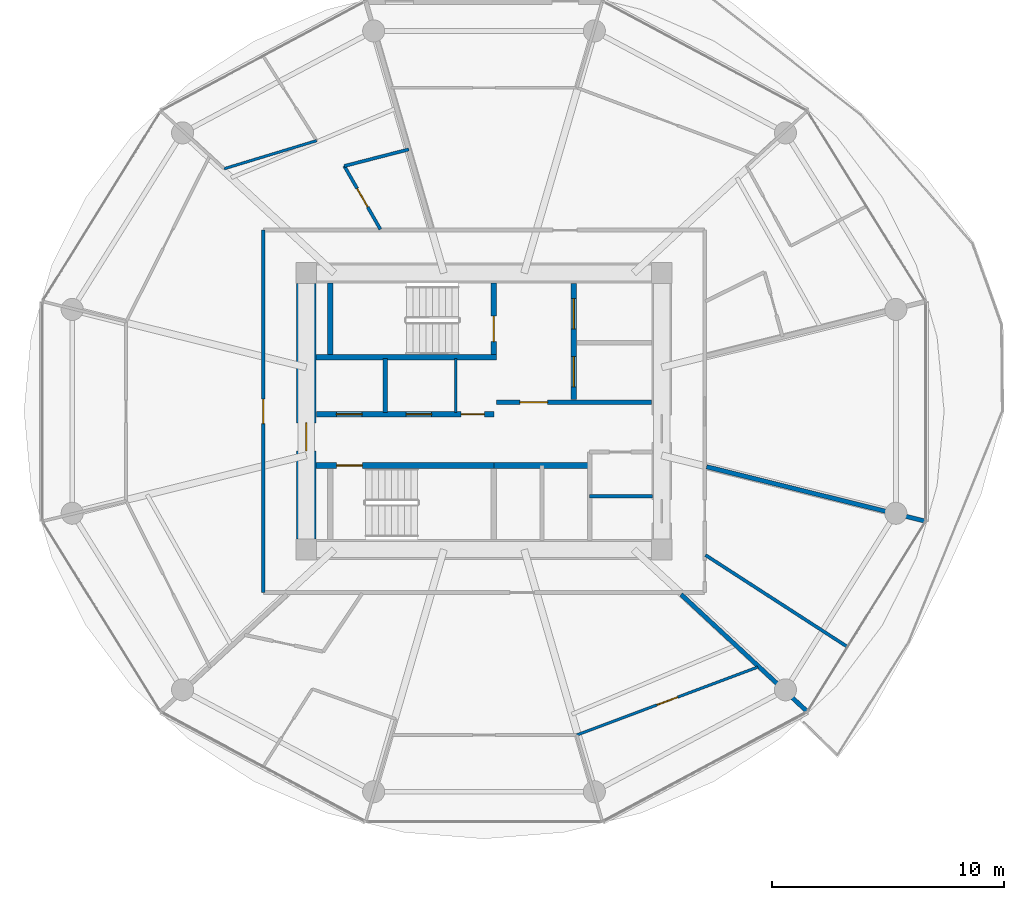
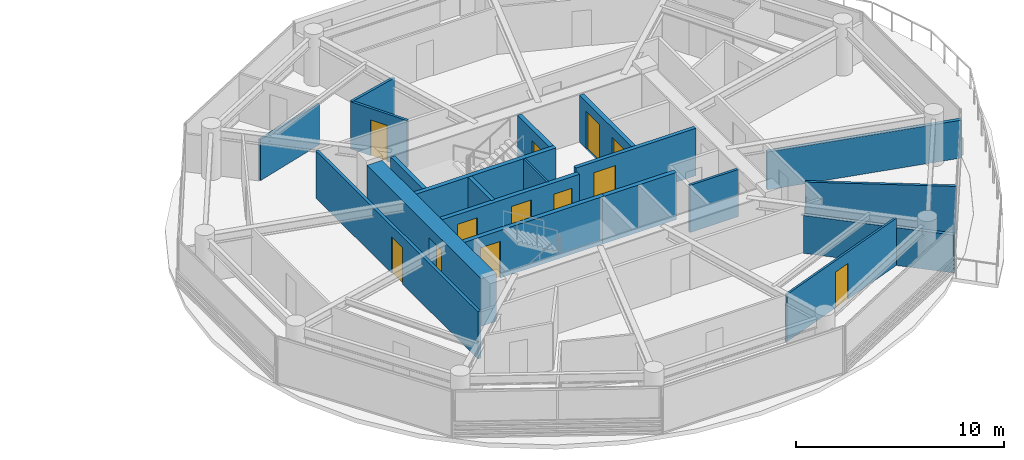
# One storey, part 20 of 28: 20 walls, 12 doors, 12 openings.
"""IFC4 building model written with IfcOpenShell, lengths in metres."""

from ifc_helpers import new_model, si_unit, direction, frame, frame_2d, origin, place, context, subcontext, project, spatial, rectangle, extrude, source, transform, mapped, material, layer, layer_set, type_object, type_shapes, element, fill, save


model = new_model("IFC4")

# Units and contexts
model_context = context("Model", 3, precision=1e-05, world=origin(), true_north=direction((0.0, 1.0)))
body_context = subcontext(model_context, "Body", "Model", "MODEL_VIEW")
ifc_project = project(units=[si_unit("LENGTHUNIT", "METRE"), si_unit("AREAUNIT", "SQUARE_METRE"), si_unit("VOLUMEUNIT", "CUBIC_METRE"), si_unit("PLANEANGLEUNIT", "RADIAN"), si_unit("MASSUNIT", "GRAM", prefix="KILO")], contexts=[model_context])

# Site, building, storey
site_placement = place(None, origin())
site = spatial("IfcSite", under=ifc_project, at=site_placement, CompositionType="ELEMENT")
building_placement = place(site_placement, origin())
building = spatial("IfcBuilding", under=site, at=building_placement, Name="Norrkilde Senior Care Towers", CompositionType="ELEMENT")
storey_placement = place(building_placement, frame((0.0, 0.0, 39.89990234375)))
storey = spatial("IfcBuildingStorey", under=building, at=storey_placement, Name="L11", CompositionType="ELEMENT", Elevation=39.89990234375)

# Wall, opening, door
ifc_material_1 = material(Name="Concrete C60/75", Category="concrete")
ifc_layer_1 = layer(ifc_material_1, 0.85009765625)
ifc_layer_set_1 = layer_set([ifc_layer_1], Name="Concrete C60/75")
wall_type_1 = type_object("IfcWallType", Name="Core Shear Wall Z1 850", PredefinedType="SHEAR", material=ifc_layer_set_1)
shared_shape_1 = source(origin(), body_context, "Body", "SweptSolid", [
    extrude(rectangle(XDim=11.0, YDim=0.85009765625, at=frame_2d((5.5, 0.0))), origin(), (0.0, 0.0, 1.0), 2.7900390625),
])
type_shapes(wall_type_1, [shared_shape_1])
wall_1_placement = place(storey_placement, frame((20.35009765625, -5.5, 0.0), z_axis=(0.0, 0.0, 1.0), x_axis=(0.0, 1.0, 0.0)))
wall_1 = element("IfcWall", 1, at=wall_1_placement, inside=storey, type_object=wall_type_1, Name="L11 Core E West Shear Wall", PredefinedType="SHEAR", context=body_context, shape_type="MappedRepresentation", body=[
    mapped(shared_shape_1, transform((0.0, 0.0, 0.0), x_axis=(1.0, 0.0, 0.0), y_axis=(0.0, 1.0, 0.0), z_axis=(0.0, 0.0, 1.0), scale=1.0)),
])
opening_1_placement = place(wall_1_placement, frame((3.800048828125, 0.0, 0.0)))
opening_1 = element("IfcOpeningElement", 2, at=opening_1_placement, cuts=wall_1, Name="Opening D-04", PredefinedType="OPENING", context=body_context, shape_type="SweptSolid", body=[
    extrude(rectangle(XDim=1.199951171875, YDim=2.14990234375, at=frame_2d((0.60009765625, 1.074951171875))), frame((0.0, 0.43505859375, 0.0), z_axis=(0.0, -1.0, 0.0), x_axis=(1.0, 0.0, 0.0)), (0.0, 0.0, 1.0), 0.8701171875),
])
ifc_material_2 = material(Name="Galvanised Painted Steel", Category="steel")
door_type_1 = type_object("IfcDoorType", Name="Firefighting Lobby Fire Door 1200x2150", OperationType="NOTDEFINED", PredefinedType="DOOR", material=ifc_material_2)
shared_shape_2 = source(origin(), body_context, "Body", "SweptSolid", [
    extrude(rectangle(XDim=1.199951171875, YDim=2.14990234375, at=frame_2d((0.60009765625, 1.074951171875))), frame((0.0, 0.02490234375, 0.0), z_axis=(0.0, -1.0, 0.0), x_axis=(1.0, 0.0, 0.0)), (0.0, 0.0, 1.0), 0.050048828125),
])
type_shapes(door_type_1, [shared_shape_2])
door_1_placement = place(opening_1_placement, frame((1.199951171875, 0.0, 0.0), z_axis=(0.0, 0.0, 1.0), x_axis=(-1.0, 0.0, 0.0)))
door_1 = element("IfcDoor", 3, at=door_1_placement, inside=storey, type_object=door_type_1, Name="L11 Core E West Portal Door", OperationType="SINGLE_SWING_LEFT", OverallHeight=2.14990234375, OverallWidth=1.199951171875, PredefinedType="DOOR", context=body_context, shape_type="MappedRepresentation", body=[
    mapped(shared_shape_2, transform((0.0, 0.0, 0.0), x_axis=(1.0, 0.0, 0.0), y_axis=(0.0, 1.0, 0.0), z_axis=(0.0, 0.0, 1.0), scale=1.0)),
])
fill(opening_1, door_1)

# Wall
ifc_material_3 = material(Name="Concrete C45/55", Category="concrete")
ifc_layer_2 = layer(ifc_material_3, 0.239990234375)
ifc_layer_set_2 = layer_set([ifc_layer_2], Name="Concrete C45/55")
wall_type_2 = type_object("IfcWallType", Name="Shaft and Stair Enclosure Wall 240", PredefinedType="PARTITIONING", material=ifc_layer_set_2)
shared_shape_3 = source(origin(), body_context, "Body", "SweptSolid", [
    extrude(rectangle(XDim=7.76513671875, YDim=0.239990234375, at=frame_2d((3.882568359375, 0.0))), origin(), (0.0, 0.0, 1.0), 2.7900390625),
])
wall_2_placement = place(storey_placement, frame((20.77490234375, 2.330078125, 0.0), z_axis=(0.0, 0.0, 1.0), x_axis=(1.0, 0.0, 0.0)))
element("IfcWall", 4, at=wall_2_placement, inside=storey, type_object=wall_type_2, Name="WL-INT-L11-E-ST1S", PredefinedType="PARTITIONING", context=body_context, shape_type="MappedRepresentation", body=[
    mapped(shared_shape_3, transform((0.0, 0.0, 0.0), x_axis=(1.0, 0.0, 0.0), y_axis=(0.0, 1.0, 0.0), z_axis=(0.0, 0.0, 1.0), scale=1.0)),
])

# Wall, opening, door
wall_3_placement = place(storey_placement, frame((20.77490234375, -2.330078125, 0.0), z_axis=(0.0, 0.0, 1.0), x_axis=(1.0, 0.0, 0.0)))
wall_3 = element("IfcWall", 5, at=wall_3_placement, inside=storey, type_object=wall_type_2, Name="WL-INT-L11-E-ST2N", PredefinedType="PARTITIONING", context=body_context, shape_type="MappedRepresentation", body=[
    mapped(shared_shape_3, transform((0.0, 0.0, 0.0), x_axis=(1.0, 0.0, 0.0), y_axis=(0.0, 1.0, 0.0), z_axis=(0.0, 0.0, 1.0), scale=1.0)),
])
opening_2_placement = place(wall_3_placement, frame((0.885009765625, 0.0, 0.0)))
opening_2 = element("IfcOpeningElement", 6, at=opening_2_placement, cuts=wall_3, Name="Opening D-03", PredefinedType="OPENING", context=body_context, shape_type="SweptSolid", body=[
    extrude(rectangle(XDim=1.10009765625, YDim=2.14990234375, at=frame_2d((0.550048828125, 1.074951171875))), frame((0.0, 0.1298828125, 0.0), z_axis=(0.0, -1.0, 0.0), x_axis=(1.0, 0.0, 0.0)), (0.0, 0.0, 1.0), 0.260009765625),
])
door_type_2 = type_object("IfcDoorType", Name="Stairwell Protected Fire Door 1100x2150", OperationType="NOTDEFINED", PredefinedType="DOOR", material=ifc_material_2)
shared_shape_4 = source(origin(), body_context, "Body", "SweptSolid", [
    extrude(rectangle(XDim=1.10009765625, YDim=2.14990234375, at=frame_2d((0.550048828125, 1.074951171875))), frame((0.0, 0.02490234375, 0.0), z_axis=(0.0, -1.0, 0.0), x_axis=(1.0, 0.0, 0.0)), (0.0, 0.0, 1.0), 0.050048828125),
])
type_shapes(door_type_2, [shared_shape_4])
door_2_placement = place(opening_2_placement, frame((1.10009765625, 0.0, 0.0), z_axis=(0.0, 0.0, 1.0), x_axis=(-1.0, 0.0, 0.0)))
door_2 = element("IfcDoor", 7, at=door_2_placement, inside=storey, type_object=door_type_2, Name="L11 Stair E2 Fire Door", OperationType="SINGLE_SWING_RIGHT", OverallHeight=2.14990234375, OverallWidth=1.10009765625, PredefinedType="DOOR", context=body_context, shape_type="MappedRepresentation", body=[
    mapped(shared_shape_4, transform((0.0, 0.0, 0.0), x_axis=(1.0, 0.0, 0.0), y_axis=(0.0, 1.0, 0.0), z_axis=(0.0, 0.0, 1.0), scale=1.0)),
])
fill(opening_2, door_2)

# Wall
shared_shape_5 = source(origin(), body_context, "Body", "SweptSolid", [
    extrude(rectangle(XDim=3.074951171875, YDim=0.239990234375, at=frame_2d((1.53759765625, 0.0))), origin(), (0.0, 0.0, 1.0), 2.7900390625),
])
type_shapes(wall_type_2, [shared_shape_3, shared_shape_5])
wall_4_placement = place(storey_placement, frame((21.3798828125, 2.449951171875, 0.0), z_axis=(0.0, 0.0, 1.0), x_axis=(0.0, 1.0, 0.0)))
element("IfcWall", 8, at=wall_4_placement, inside=storey, type_object=wall_type_2, Name="WL-INT-L11-E-ST1W", PredefinedType="PARTITIONING", context=body_context, shape_type="MappedRepresentation", body=[
    mapped(shared_shape_5, transform((0.0, 0.0, 0.0), x_axis=(1.0, 0.0, 0.0), y_axis=(0.0, 1.0, 0.0), z_axis=(0.0, 0.0, 1.0), scale=1.0)),
])

# Wall, opening, door
wall_5_placement = place(storey_placement, frame((28.419921875, 2.449951171875, 0.0), z_axis=(0.0, 0.0, 1.0), x_axis=(0.0, 1.0, 0.0)))
wall_5 = element("IfcWall", 9, at=wall_5_placement, inside=storey, type_object=wall_type_2, Name="WL-INT-L11-E-ST1E", PredefinedType="PARTITIONING", context=body_context, shape_type="MappedRepresentation", body=[
    mapped(shared_shape_5, transform((0.0, 0.0, 0.0), x_axis=(1.0, 0.0, 0.0), y_axis=(0.0, 1.0, 0.0), z_axis=(0.0, 0.0, 1.0), scale=1.0)),
])
opening_3_placement = place(wall_5_placement, frame((0.550048828125, 0.0, 0.0)))
opening_3 = element("IfcOpeningElement", 10, at=opening_3_placement, cuts=wall_5, Name="Opening D-03", PredefinedType="OPENING", context=body_context, shape_type="SweptSolid", body=[
    extrude(rectangle(XDim=1.10009765625, YDim=2.14990234375, at=frame_2d((0.550048828125, 1.074951171875))), frame((0.0, 0.1298828125, 0.0), z_axis=(0.0, -1.0, 0.0), x_axis=(1.0, 0.0, 0.0)), (0.0, 0.0, 1.0), 0.260009765625),
])
door_3_placement = place(opening_3_placement, origin())
door_3 = element("IfcDoor", 11, at=door_3_placement, inside=storey, type_object=door_type_2, Name="L11 Stair E1 Fire Door", OperationType="SINGLE_SWING_LEFT", OverallHeight=2.14990234375, OverallWidth=1.10009765625, PredefinedType="DOOR", context=body_context, shape_type="MappedRepresentation", body=[
    mapped(shared_shape_4, transform((0.0, 0.0, 0.0), x_axis=(1.0, 0.0, 0.0), y_axis=(0.0, 1.0, 0.0), z_axis=(0.0, 0.0, 1.0), scale=1.0)),
])
fill(opening_3, door_3)

# Wall, openings, doors
ifc_layer_3 = layer(ifc_material_3, 0.239990234375)
ifc_layer_set_3 = layer_set([ifc_layer_3], Name="Concrete C45/55")
wall_type_3 = type_object("IfcWallType", Name="Lift and Plant Rated Enclosure Partition 240", PredefinedType="PARTITIONING", material=ifc_layer_set_3)
shared_shape_6 = source(origin(), body_context, "Body", "SweptSolid", [
    extrude(rectangle(XDim=5.0, YDim=0.239990234375, at=frame_2d((2.5, 0.0))), origin(), (0.0, 0.0, 1.0), 2.775146484375),
])
wall_6_placement = place(storey_placement, frame((31.860107421875, 0.5, 0.0), z_axis=(0.0, 0.0, 1.0), x_axis=(0.0, 1.0, 0.0)))
wall_6 = element("IfcWall", 12, at=wall_6_placement, inside=storey, type_object=wall_type_3, Name="WL-INT-L11-E-FFLE", PredefinedType="PARTITIONING", context=body_context, shape_type="MappedRepresentation", body=[
    mapped(shared_shape_6, transform((0.0, 0.0, 0.0), x_axis=(1.0, 0.0, 0.0), y_axis=(0.0, 1.0, 0.0), z_axis=(0.0, 0.0, 1.0), scale=1.0)),
])
opening_4_placement = place(wall_6_placement, frame((3.050048828125, 0.0, 0.0)))
opening_4 = element("IfcOpeningElement", 13, at=opening_4_placement, cuts=wall_6, Name="Opening LD-02", PredefinedType="OPENING", context=body_context, shape_type="SweptSolid", body=[
    extrude(rectangle(XDim=1.300048828125, YDim=2.199951171875, at=frame_2d((0.64990234375, 1.10009765625))), frame((0.0, 0.1298828125, 0.0), z_axis=(0.0, -1.0, 0.0), x_axis=(1.0, 0.0, 0.0)), (0.0, 0.0, 1.0), 0.260009765625),
])
opening_5_placement = place(wall_6_placement, frame((0.550048828125, 0.0, 0.0)))
opening_5 = element("IfcOpeningElement", 14, at=opening_5_placement, cuts=wall_6, Name="Opening LD-02", PredefinedType="OPENING", context=body_context, shape_type="SweptSolid", body=[
    extrude(rectangle(XDim=1.300048828125, YDim=2.199951171875, at=frame_2d((0.64990234375, 1.10009765625))), frame((0.0, 0.1298828125, 0.0), z_axis=(0.0, -1.0, 0.0), x_axis=(1.0, 0.0, 0.0)), (0.0, 0.0, 1.0), 0.260009765625),
])
ifc_material_4 = material(Name="Stainless Steel", Category="steel")
door_type_3 = type_object("IfcDoorType", Name="Stretcher and FFL Landing Sliding Door 1300x2200", OperationType="NOTDEFINED", PredefinedType="DOOR", material=ifc_material_4)
shared_shape_7 = source(origin(), body_context, "Body", "SweptSolid", [
    extrude(rectangle(XDim=1.300048828125, YDim=2.199951171875, at=frame_2d((0.64990234375, 1.10009765625))), frame((0.0, 0.02490234375, 0.0), z_axis=(0.0, -1.0, 0.0), x_axis=(1.0, 0.0, 0.0)), (0.0, 0.0, 1.0), 0.050048828125),
])
type_shapes(door_type_3, [shared_shape_7])
door_4_placement = place(opening_4_placement, origin())
door_4 = element("IfcDoor", 15, at=door_4_placement, inside=storey, type_object=door_type_3, Name="L11 Firefighting Lift E1 Landing Door", OperationType="SLIDING_TO_LEFT", OverallHeight=2.199951171875, OverallWidth=1.300048828125, PredefinedType="DOOR", context=body_context, shape_type="MappedRepresentation", body=[
    mapped(shared_shape_7, transform((0.0, 0.0, 0.0), x_axis=(1.0, 0.0, 0.0), y_axis=(0.0, 1.0, 0.0), z_axis=(0.0, 0.0, 1.0), scale=1.0)),
])
fill(opening_4, door_4)
door_5_placement = place(opening_5_placement, origin())
door_5 = element("IfcDoor", 16, at=door_5_placement, inside=storey, type_object=door_type_3, Name="L11 Stretcher Lift E1 Landing Door", OperationType="SLIDING_TO_RIGHT", OverallHeight=2.199951171875, OverallWidth=1.300048828125, PredefinedType="DOOR", context=body_context, shape_type="MappedRepresentation", body=[
    mapped(shared_shape_7, transform((0.0, 0.0, 0.0), x_axis=(1.0, 0.0, 0.0), y_axis=(0.0, 1.0, 0.0), z_axis=(0.0, 0.0, 1.0), scale=1.0)),
])
fill(opening_5, door_5)

# Wall, opening, door
ifc_layer_4 = layer(ifc_material_3, 0.2099609375)
ifc_layer_set_4 = layer_set([ifc_layer_4], Name="Concrete C45/55")
wall_type_4 = type_object("IfcWallType", Name="Firefighting Lobby Wall 210", PredefinedType="PARTITIONING", material=ifc_layer_set_4)
shared_shape_8 = source(origin(), body_context, "Body", "SweptSolid", [
    extrude(rectangle(XDim=6.659912109375, YDim=0.2099609375, at=frame_2d((3.330078125, 0.0))), origin(), (0.0, 0.0, 1.0), 2.775146484375),
])
type_shapes(wall_type_4, [shared_shape_8])
wall_7_placement = place(storey_placement, frame((28.5400390625, 0.389892578125, 0.0), z_axis=(0.0, 0.0, 1.0), x_axis=(1.0, 0.0, 0.0)))
wall_7 = element("IfcWall", 17, at=wall_7_placement, inside=storey, type_object=wall_type_4, Name="WL-INT-L11-E-FFLS", PredefinedType="PARTITIONING", context=body_context, shape_type="MappedRepresentation", body=[
    mapped(shared_shape_8, transform((0.0, 0.0, 0.0), x_axis=(1.0, 0.0, 0.0), y_axis=(0.0, 1.0, 0.0), z_axis=(0.0, 0.0, 1.0), scale=1.0)),
])
opening_6_placement = place(wall_7_placement, frame((1.0, 0.0, 0.0)))
opening_6 = element("IfcOpeningElement", 18, at=opening_6_placement, cuts=wall_7, Name="Opening D-04", PredefinedType="OPENING", context=body_context, shape_type="SweptSolid", body=[
    extrude(rectangle(XDim=1.199951171875, YDim=2.14990234375, at=frame_2d((0.60009765625, 1.074951171875))), frame((0.0, 0.114990234375, 0.0), z_axis=(0.0, -1.0, 0.0), x_axis=(1.0, 0.0, 0.0)), (0.0, 0.0, 1.0), 0.22998046875),
])
door_6_placement = place(opening_6_placement, frame((1.199951171875, 0.0, 0.0), z_axis=(0.0, 0.0, 1.0), x_axis=(-1.0, 0.0, 0.0)))
door_6 = element("IfcDoor", 19, at=door_6_placement, inside=storey, type_object=door_type_1, Name="L11 Firefighting Lobby E Door", OperationType="SINGLE_SWING_LEFT", OverallHeight=2.14990234375, OverallWidth=1.199951171875, PredefinedType="DOOR", context=body_context, shape_type="MappedRepresentation", body=[
    mapped(shared_shape_2, transform((0.0, 0.0, 0.0), x_axis=(1.0, 0.0, 0.0), y_axis=(0.0, 1.0, 0.0), z_axis=(0.0, 0.0, 1.0), scale=1.0)),
])
fill(opening_6, door_6)

# Wall, openings, doors
shared_shape_9 = source(origin(), body_context, "Body", "SweptSolid", [
    extrude(rectangle(XDim=7.619873046875, YDim=0.239990234375, at=frame_2d((3.81005859375, 0.0))), origin(), (0.0, 0.0, 1.0), 2.775146484375),
])
wall_8_placement = place(storey_placement, frame((20.800048828125, -0.1298828125, 0.0), z_axis=(0.0, 0.0, 1.0), x_axis=(1.0, 0.0, 0.0)))
wall_8 = element("IfcWall", 20, at=wall_8_placement, inside=storey, type_object=wall_type_3, Name="WL-INT-L11-E-PKAS", PredefinedType="PARTITIONING", context=body_context, shape_type="MappedRepresentation", body=[
    mapped(shared_shape_9, transform((0.0, 0.0, 0.0), x_axis=(1.0, 0.0, 0.0), y_axis=(0.0, 1.0, 0.0), z_axis=(0.0, 0.0, 1.0), scale=1.0)),
])
opening_7_placement = place(wall_8_placement, frame((6.219970703125, 0.0, 0.0)))
opening_7 = element("IfcOpeningElement", 21, at=opening_7_placement, cuts=wall_8, Name="Opening D-10", PredefinedType="OPENING", context=body_context, shape_type="SweptSolid", body=[
    extrude(rectangle(XDim=1.0, YDim=2.10009765625, at=frame_2d((0.5, 1.050048828125))), frame((0.0, 0.1298828125, 0.0), z_axis=(0.0, -1.0, 0.0), x_axis=(1.0, 0.0, 0.0)), (0.0, 0.0, 1.0), 0.260009765625),
])
opening_8_placement = place(wall_8_placement, frame((0.85009765625, 0.0, 0.0)))
opening_8 = element("IfcOpeningElement", 22, at=opening_8_placement, cuts=wall_8, Name="Opening LD-01", PredefinedType="OPENING", context=body_context, shape_type="SweptSolid", body=[
    extrude(rectangle(XDim=1.10009765625, YDim=2.199951171875, at=frame_2d((0.550048828125, 1.10009765625))), frame((0.0, 0.1298828125, 0.0), z_axis=(0.0, -1.0, 0.0), x_axis=(1.0, 0.0, 0.0)), (0.0, 0.0, 1.0), 0.260009765625),
])
opening_9_placement = place(wall_8_placement, frame((3.85009765625, 0.0, 0.0)))
opening_9 = element("IfcOpeningElement", 23, at=opening_9_placement, cuts=wall_8, Name="Opening LD-01", PredefinedType="OPENING", context=body_context, shape_type="SweptSolid", body=[
    extrude(rectangle(XDim=1.10009765625, YDim=2.199951171875, at=frame_2d((0.550048828125, 1.10009765625))), frame((0.0, 0.1298828125, 0.0), z_axis=(0.0, -1.0, 0.0), x_axis=(1.0, 0.0, 0.0)), (0.0, 0.0, 1.0), 0.260009765625),
])
door_type_4 = type_object("IfcDoorType", Name="Plant and Riser Rated Door 1000x2100", OperationType="NOTDEFINED", PredefinedType="DOOR", material=ifc_material_2)
shared_shape_10 = source(origin(), body_context, "Body", "SweptSolid", [
    extrude(rectangle(XDim=1.0, YDim=2.10009765625, at=frame_2d((0.5, 1.050048828125))), frame((0.0, 0.02490234375, 0.0), z_axis=(0.0, -1.0, 0.0), x_axis=(1.0, 0.0, 0.0)), (0.0, 0.0, 1.0), 0.050048828125),
])
type_shapes(door_type_4, [shared_shape_10])
door_7_placement = place(opening_7_placement, frame((1.0, 0.0, 0.0), z_axis=(0.0, 0.0, 1.0), x_axis=(-1.0, 0.0, 0.0)))
door_7 = element("IfcDoor", 24, at=door_7_placement, inside=storey, type_object=door_type_4, Name="L11 Electrical Riser E Door", OperationType="SINGLE_SWING_LEFT", OverallHeight=2.10009765625, OverallWidth=1.0, PredefinedType="DOOR", context=body_context, shape_type="MappedRepresentation", body=[
    mapped(shared_shape_10, transform((0.0, 0.0, 0.0), x_axis=(1.0, 0.0, 0.0), y_axis=(0.0, 1.0, 0.0), z_axis=(0.0, 0.0, 1.0), scale=1.0)),
])
fill(opening_7, door_7)
door_type_5 = type_object("IfcDoorType", Name="Lift Landing Sliding Door 1100x2200", OperationType="NOTDEFINED", PredefinedType="DOOR", material=ifc_material_4)
shared_shape_11 = source(origin(), body_context, "Body", "SweptSolid", [
    extrude(rectangle(XDim=1.10009765625, YDim=2.199951171875, at=frame_2d((0.550048828125, 1.10009765625))), frame((0.0, 0.02490234375, 0.0), z_axis=(0.0, -1.0, 0.0), x_axis=(1.0, 0.0, 0.0)), (0.0, 0.0, 1.0), 0.050048828125),
])
type_shapes(door_type_5, [shared_shape_11])
door_8_placement = place(opening_8_placement, origin())
door_8 = element("IfcDoor", 25, at=door_8_placement, inside=storey, type_object=door_type_5, Name="L11 Passenger Lift E1 Landing Door", OperationType="SLIDING_TO_LEFT", OverallHeight=2.199951171875, OverallWidth=1.10009765625, PredefinedType="DOOR", context=body_context, shape_type="MappedRepresentation", body=[
    mapped(shared_shape_11, transform((0.0, 0.0, 0.0), x_axis=(1.0, 0.0, 0.0), y_axis=(0.0, 1.0, 0.0), z_axis=(0.0, 0.0, 1.0), scale=1.0)),
])
fill(opening_8, door_8)
door_9_placement = place(opening_9_placement, origin())
door_9 = element("IfcDoor", 26, at=door_9_placement, inside=storey, type_object=door_type_5, Name="L11 Passenger Lift E2 Landing Door", OperationType="SLIDING_TO_RIGHT", OverallHeight=2.199951171875, OverallWidth=1.10009765625, PredefinedType="DOOR", context=body_context, shape_type="MappedRepresentation", body=[
    mapped(shared_shape_11, transform((0.0, 0.0, 0.0), x_axis=(1.0, 0.0, 0.0), y_axis=(0.0, 1.0, 0.0), z_axis=(0.0, 0.0, 1.0), scale=1.0)),
])
fill(opening_9, door_9)

# Walls
ifc_material_5 = material(Name="Gypsum Acoustic Board")
ifc_layer_5 = layer(ifc_material_5, 0.114990234375)
ifc_layer_set_5 = layer_set([ifc_layer_5], Name="Gypsum Acoustic Board")
wall_type_5 = type_object("IfcWallType", Name="Internal Room Partition 115", PredefinedType="PARTITIONING", material=ifc_layer_set_5)
shared_shape_12 = source(origin(), body_context, "Body", "SweptSolid", [
    extrude(rectangle(XDim=2.330078125, YDim=0.114990234375, at=frame_2d((1.1650390625, 0.0))), origin(), (0.0, 0.0, 1.0), 2.775146484375),
])
wall_9_placement = place(storey_placement, frame((26.7900390625, -0.050048828125, 0.0), z_axis=(0.0, 0.0, 1.0), x_axis=(0.0, 1.0, 0.0)))
element("IfcWall", 27, at=wall_9_placement, inside=storey, type_object=wall_type_5, Name="WL-INT-L11-E-RISW", PredefinedType="PARTITIONING", context=body_context, shape_type="MappedRepresentation", body=[
    mapped(shared_shape_12, transform((0.0, 0.0, 0.0), x_axis=(1.0, 0.0, 0.0), y_axis=(0.0, 1.0, 0.0), z_axis=(0.0, 0.0, 1.0), scale=1.0)),
])
ifc_layer_6 = layer(ifc_material_3, 0.199951171875)
ifc_layer_set_6 = layer_set([ifc_layer_6], Name="Concrete C45/55")
wall_type_6 = type_object("IfcWallType", Name="Shaft Division and Plant Partition 200", PredefinedType="PARTITIONING", material=ifc_layer_set_6)
shared_shape_13 = source(origin(), body_context, "Body", "SweptSolid", [
    extrude(rectangle(XDim=2.330078125, YDim=0.199951171875, at=frame_2d((1.1650390625, 0.0))), origin(), (0.0, 0.0, 1.0), 2.775146484375),
])
type_shapes(wall_type_6, [shared_shape_13])
wall_10_placement = place(storey_placement, frame((23.75, -0.050048828125, 0.0), z_axis=(0.0, 0.0, 1.0), x_axis=(0.0, 1.0, 0.0)))
element("IfcWall", 28, at=wall_10_placement, inside=storey, type_object=wall_type_6, Name="WL-INT-L11-E-PL12", PredefinedType="PARTITIONING", context=body_context, shape_type="MappedRepresentation", body=[
    mapped(shared_shape_13, transform((0.0, 0.0, 0.0), x_axis=(1.0, 0.0, 0.0), y_axis=(0.0, 1.0, 0.0), z_axis=(0.0, 0.0, 1.0), scale=1.0)),
])
shared_shape_14 = source(origin(), body_context, "Body", "SweptSolid", [
    extrude(rectangle(XDim=4.130126953125, YDim=0.239990234375, at=frame_2d((2.06494140625, 0.0))), origin(), (0.0, 0.0, 1.0), 2.775146484375),
])
type_shapes(wall_type_3, [shared_shape_6, shared_shape_9, shared_shape_14])
wall_11_placement = place(storey_placement, frame((28.419921875, -2.330078125, 0.0), z_axis=(0.0, 0.0, 1.0), x_axis=(1.0, 0.0, 0.0)))
element("IfcWall", 29, at=wall_11_placement, inside=storey, type_object=wall_type_3, Name="WL-INT-L11-E-PKBN", PredefinedType="PARTITIONING", context=body_context, shape_type="MappedRepresentation", body=[
    mapped(shared_shape_14, transform((0.0, 0.0, 0.0), x_axis=(1.0, 0.0, 0.0), y_axis=(0.0, 1.0, 0.0), z_axis=(0.0, 0.0, 1.0), scale=1.0)),
])

# Wall, opening, door
ifc_layer_7 = layer(ifc_material_5, 0.1650390625)
ifc_layer_set_7 = layer_set([ifc_layer_7], Name="Gypsum Acoustic Board")
wall_type_7 = type_object("IfcWallType", Name="Corridor Rated Partition 165", PredefinedType="PARTITIONING", material=ifc_layer_set_7)
shared_shape_15 = source(origin(), body_context, "Body", "SweptSolid", [
    extrude(rectangle(XDim=15.60009765625, YDim=0.1650390625, at=frame_2d((7.800048828125, 0.0))), origin(), (0.0, 0.0, 1.0), 2.775146484375),
])
type_shapes(wall_type_7, [shared_shape_15])
wall_12_placement = place(storey_placement, frame((18.5, -7.800048828125, 0.0), z_axis=(0.0, 0.0, 1.0), x_axis=(0.0, 1.0, 0.0)))
wall_12 = element("IfcWall", 30, at=wall_12_placement, inside=storey, type_object=wall_type_7, Name="WL-INT-L11-E-CRW-W-0", PredefinedType="PARTITIONING", context=body_context, shape_type="MappedRepresentation", body=[
    mapped(shared_shape_15, transform((0.0, 0.0, 0.0), x_axis=(1.0, 0.0, 0.0), y_axis=(0.0, 1.0, 0.0), z_axis=(0.0, 0.0, 1.0), scale=1.0)),
])
opening_10_placement = place(wall_12_placement, frame((7.27490234375, 0.0, 0.0)))
opening_10 = element("IfcOpeningElement", 31, at=opening_10_placement, cuts=wall_12, Name="Opening D-06", PredefinedType="OPENING", context=body_context, shape_type="SweptSolid", body=[
    extrude(rectangle(XDim=1.050048828125, YDim=2.14990234375, at=frame_2d((0.52490234375, 1.074951171875))), frame((0.0, 0.092529296875, 0.0), z_axis=(0.0, -1.0, 0.0), x_axis=(1.0, 0.0, 0.0)), (0.0, 0.0, 1.0), 0.18505859375),
])
ifc_material_6 = material(Name="Nordic Ash Timber", Category="wood")
door_type_6 = type_object("IfcDoorType", Name="Apartment Entrance Fire Door 1050x2150", OperationType="NOTDEFINED", PredefinedType="DOOR", material=ifc_material_6)
shared_shape_16 = source(origin(), body_context, "Body", "SweptSolid", [
    extrude(rectangle(XDim=1.050048828125, YDim=2.14990234375, at=frame_2d((0.52490234375, 1.074951171875))), frame((0.0, 0.02490234375, 0.0), z_axis=(0.0, -1.0, 0.0), x_axis=(1.0, 0.0, 0.0)), (0.0, 0.0, 1.0), 0.050048828125),
])
type_shapes(door_type_6, [shared_shape_16])
door_10_placement = place(opening_10_placement, frame((1.050048828125, 0.0, 0.0), z_axis=(0.0, 0.0, 1.0), x_axis=(-1.0, 0.0, 0.0)))
door_10 = element("IfcDoor", 32, at=door_10_placement, inside=storey, type_object=door_type_6, Name="Apartment 11A Entrance Door", OperationType="SINGLE_SWING_RIGHT", OverallHeight=2.14990234375, OverallWidth=1.050048828125, PredefinedType="DOOR", context=body_context, shape_type="MappedRepresentation", body=[
    mapped(shared_shape_16, transform((0.0, 0.0, 0.0), x_axis=(1.0, 0.0, 0.0), y_axis=(0.0, 1.0, 0.0), z_axis=(0.0, 0.0, 1.0), scale=1.0)),
])
fill(opening_10, door_10)

# Walls
ifc_layer_8 = layer(ifc_material_5, 0.18994140625)
ifc_layer_set_8 = layer_set([ifc_layer_8], Name="Gypsum Acoustic Board")
wall_type_8 = type_object("IfcWallType", Name="Unit Demising Acoustic Wall 190", PredefinedType="PARTITIONING", material=ifc_layer_set_8)
shared_shape_17 = source(origin(), body_context, "Body", "SweptSolid", [
    extrude(rectangle(XDim=7.4345703125, YDim=0.18994140625, at=frame_2d((3.71728515625, 0.0))), origin(), (0.0, 0.0, 1.0), 2.22509765625),
])
wall_13_placement = place(storey_placement, frame((36.48291015625, -7.8798828125, 0.0), z_axis=(0.0, 0.0, 1.0), x_axis=(0.732651956848, -0.680603489652, 0.0)))
element("IfcWall", 33, at=wall_13_placement, inside=storey, type_object=wall_type_8, Name="WL-INT-L11-E-DEM-10-0", PredefinedType="PARTITIONING", context=body_context, shape_type="MappedRepresentation", body=[
    mapped(shared_shape_17, transform((0.0, 0.0, 0.0), x_axis=(1.0, 0.0, 0.0), y_axis=(0.0, 1.0, 0.0), z_axis=(0.0, 0.0, 1.0), scale=1.0)),
])
shared_shape_18 = source(origin(), body_context, "Body", "SweptSolid", [
    extrude(rectangle(XDim=9.737060546875, YDim=0.18994140625, at=frame_2d((4.86865234375, 0.0))), origin(), (0.0, 0.0, 1.0), 2.22509765625),
])
type_shapes(wall_type_8, [shared_shape_17, shared_shape_18])
wall_14_placement = place(storey_placement, frame((37.580078125, -2.384521484375, 0.0), z_axis=(0.0, 0.0, 1.0), x_axis=(0.970392716238, -0.241532557375, 0.0)))
element("IfcWall", 34, at=wall_14_placement, inside=storey, type_object=wall_type_8, Name="WL-INT-L11-E-DEM-11-0", PredefinedType="PARTITIONING", context=body_context, shape_type="MappedRepresentation", body=[
    mapped(shared_shape_18, transform((0.0, 0.0, 0.0), x_axis=(1.0, 0.0, 0.0), y_axis=(0.0, 1.0, 0.0), z_axis=(0.0, 0.0, 1.0), scale=1.0)),
])

# Wall, opening, door
ifc_layer_9 = layer(ifc_material_5, 0.139892578125)
ifc_layer_set_9 = layer_set([ifc_layer_9], Name="Gypsum Acoustic Board")
wall_type_9 = type_object("IfcWallType", Name="En-suite Wet Room Wall 140", PredefinedType="PARTITIONING", material=ifc_layer_set_9)
shared_shape_19 = source(origin(), body_context, "Body", "SweptSolid", [
    extrude(rectangle(XDim=3.14111328125, YDim=0.139892578125, at=frame_2d((1.570556640625, 0.0))), origin(), (0.0, 0.0, 1.0), 2.775146484375),
])
wall_15_placement = place(storey_placement, frame((23.54150390625, 7.830078125, 0.0), z_axis=(0.0, 0.0, 1.0), x_axis=(-0.494874486088, 0.868964465913, 0.0)))
wall_15 = element("IfcWall", 35, at=wall_15_placement, inside=storey, type_object=wall_type_9, Name="WL-INT-L11-E-UBTS-03", PredefinedType="PARTITIONING", context=body_context, shape_type="MappedRepresentation", body=[
    mapped(shared_shape_19, transform((0.0, 0.0, 0.0), x_axis=(1.0, 0.0, 0.0), y_axis=(0.0, 1.0, 0.0), z_axis=(0.0, 0.0, 1.0), scale=1.0)),
])
opening_11_placement = place(wall_15_placement, frame((1.110595703125, 0.0, 0.0)))
opening_11 = element("IfcOpeningElement", 36, at=opening_11_placement, cuts=wall_15, Name="Opening D-08", PredefinedType="OPENING", context=body_context, shape_type="SweptSolid", body=[
    extrude(rectangle(XDim=0.919921875, YDim=2.10009765625, at=frame_2d((0.4599609375, 1.050048828125))), frame((0.0, 0.079833984375, 0.0), z_axis=(0.0, -1.0, 0.0), x_axis=(1.0, 0.0, 0.0)), (0.0, 0.0, 1.0), 0.159912109375),
])
door_type_7 = type_object("IfcDoorType", Name="Accessible Wet Room Door 920x2100", OperationType="NOTDEFINED", PredefinedType="DOOR", material=ifc_material_6)
shared_shape_20 = source(origin(), body_context, "Body", "SweptSolid", [
    extrude(rectangle(XDim=0.919921875, YDim=2.10009765625, at=frame_2d((0.4599609375, 1.050048828125))), frame((0.0, 0.02490234375, 0.0), z_axis=(0.0, -1.0, 0.0), x_axis=(1.0, 0.0, 0.0)), (0.0, 0.0, 1.0), 0.050048828125),
])
type_shapes(door_type_7, [shared_shape_20])
door_11_placement = place(opening_11_placement, origin())
door_11 = element("IfcDoor", 37, at=door_11_placement, inside=storey, type_object=door_type_7, Name="Apartment 11A Bathroom Door", OperationType="SINGLE_SWING_LEFT", OverallHeight=2.10009765625, OverallWidth=0.919921875, PredefinedType="DOOR", context=body_context, shape_type="MappedRepresentation", body=[
    mapped(shared_shape_20, transform((0.0, 0.0, 0.0), x_axis=(1.0, 0.0, 0.0), y_axis=(0.0, 1.0, 0.0), z_axis=(0.0, 0.0, 1.0), scale=1.0)),
])
fill(opening_11, door_11)

# Wall
shared_shape_21 = source(origin(), body_context, "Body", "SweptSolid", [
    extrude(rectangle(XDim=2.8681640625, YDim=0.139892578125, at=frame_2d((1.43408203125, 0.0))), origin(), (0.0, 0.0, 1.0), 2.775146484375),
])
wall_16_placement = place(storey_placement, frame((21.987060546875, 10.5595703125, 0.0), z_axis=(0.0, 0.0, 1.0), x_axis=(0.968467705195, 0.249139125778, 0.0)))
element("IfcWall", 38, at=wall_16_placement, inside=storey, type_object=wall_type_9, Name="WL-INT-L11-E-UBTF-03", PredefinedType="PARTITIONING", context=body_context, shape_type="MappedRepresentation", body=[
    mapped(shared_shape_21, transform((0.0, 0.0, 0.0), x_axis=(1.0, 0.0, 0.0), y_axis=(0.0, 1.0, 0.0), z_axis=(0.0, 0.0, 1.0), scale=1.0)),
])

# Wall, opening, door
shared_shape_22 = source(origin(), body_context, "Body", "SweptSolid", [
    extrude(rectangle(XDim=8.31982421875, YDim=0.114990234375, at=frame_2d((4.159912109375, 0.0))), origin(), (0.0, 0.0, 1.0), 2.775146484375),
])
wall_17_placement = place(storey_placement, frame((31.997314453125, -13.93017578125, 0.0), z_axis=(0.0, 0.0, 1.0), x_axis=(0.936180763098, 0.351518959382, 0.0)))
wall_17 = element("IfcWall", 39, at=wall_17_placement, inside=storey, type_object=wall_type_5, Name="WL-INT-L11-E-UBC-07-2", PredefinedType="PARTITIONING", context=body_context, shape_type="MappedRepresentation", body=[
    mapped(shared_shape_22, transform((0.0, 0.0, 0.0), x_axis=(1.0, 0.0, 0.0), y_axis=(0.0, 1.0, 0.0), z_axis=(0.0, 0.0, 1.0), scale=1.0)),
])
opening_12_placement = place(wall_17_placement, frame((3.684814453125, 0.0, 0.0)))
opening_12 = element("IfcOpeningElement", 40, at=opening_12_placement, cuts=wall_17, Name="Opening D-07", PredefinedType="OPENING", context=body_context, shape_type="SweptSolid", body=[
    extrude(rectangle(XDim=0.949951171875, YDim=2.10009765625, at=frame_2d((0.47509765625, 1.050048828125))), frame((0.0, 0.0673828125, 0.0), z_axis=(0.0, -1.0, 0.0), x_axis=(1.0, 0.0, 0.0)), (0.0, 0.0, 1.0), 0.135009765625),
])
door_type_8 = type_object("IfcDoorType", Name="Internal Suite Bedroom Door 950x2100", OperationType="NOTDEFINED", PredefinedType="DOOR", material=ifc_material_6)
shared_shape_23 = source(origin(), body_context, "Body", "SweptSolid", [
    extrude(rectangle(XDim=0.949951171875, YDim=2.10009765625, at=frame_2d((0.47509765625, 1.050048828125))), frame((0.0, 0.02490234375, 0.0), z_axis=(0.0, -1.0, 0.0), x_axis=(1.0, 0.0, 0.0)), (0.0, 0.0, 1.0), 0.050048828125),
])
type_shapes(door_type_8, [shared_shape_23])
door_12_placement = place(opening_12_placement, frame((0.949951171875, 0.0, 0.0), z_axis=(0.0, 0.0, 1.0), x_axis=(-1.0, 0.0, 0.0)))
door_12 = element("IfcDoor", 41, at=door_12_placement, inside=storey, type_object=door_type_8, Name="Apartment 11B Bedroom 2 Door", OperationType="SINGLE_SWING_RIGHT", OverallHeight=2.10009765625, OverallWidth=0.949951171875, PredefinedType="DOOR", context=body_context, shape_type="MappedRepresentation", body=[
    mapped(shared_shape_23, transform((0.0, 0.0, 0.0), x_axis=(1.0, 0.0, 0.0), y_axis=(0.0, 1.0, 0.0), z_axis=(0.0, 0.0, 1.0), scale=1.0)),
])
fill(opening_12, door_12)

# Walls
shared_shape_24 = source(origin(), body_context, "Body", "SweptSolid", [
    extrude(rectangle(XDim=2.699951171875, YDim=0.139892578125, at=frame_2d((1.35009765625, 0.0))), origin(), (0.0, 0.0, 1.0), 2.775146484375),
])
wall_18_placement = place(storey_placement, frame((32.550048828125, -3.64990234375, 0.0), z_axis=(0.0, 0.0, 1.0), x_axis=(1.0, 0.0, 0.0)))
element("IfcWall", 42, at=wall_18_placement, inside=storey, type_object=wall_type_9, Name="WL-INT-L11-E-CS2H", PredefinedType="PARTITIONING", context=body_context, shape_type="MappedRepresentation", body=[
    mapped(shared_shape_24, transform((0.0, 0.0, 0.0), x_axis=(1.0, 0.0, 0.0), y_axis=(0.0, 1.0, 0.0), z_axis=(0.0, 0.0, 1.0), scale=1.0)),
])
shared_shape_25 = source(origin(), body_context, "Body", "SweptSolid", [
    extrude(rectangle(XDim=4.15869140625, YDim=0.114990234375, at=frame_2d((2.079345703125, 0.0))), origin(), (0.0, 0.0, 1.0), 2.4150390625),
])
type_shapes(wall_type_5, [shared_shape_12, shared_shape_22, shared_shape_25])
wall_19_placement = place(storey_placement, frame((20.79638671875, 11.650634765625, 0.0), z_axis=(0.0, 0.0, 1.0), x_axis=(-0.956846477815, -0.290593905466, 0.0)))
element("IfcWall", 43, at=wall_19_placement, inside=storey, type_object=wall_type_5, Name="WL-INT-L11-E-UKTF-03", PredefinedType="PARTITIONING", context=body_context, shape_type="MappedRepresentation", body=[
    mapped(shared_shape_25, transform((0.0, 0.0, 0.0), x_axis=(1.0, 0.0, 0.0), y_axis=(0.0, 1.0, 0.0), z_axis=(0.0, 0.0, 1.0), scale=1.0)),
])
shared_shape_26 = source(origin(), body_context, "Body", "SweptSolid", [
    extrude(rectangle(XDim=7.30419921875, YDim=0.139892578125, at=frame_2d((3.652099609375, 0.0))), origin(), (0.0, 0.0, 1.0), 2.775146484375),
])
type_shapes(wall_type_9, [shared_shape_19, shared_shape_21, shared_shape_24, shared_shape_26])
wall_20_placement = place(storey_placement, frame((37.530029296875, -6.184814453125, 0.0), z_axis=(0.0, 0.0, 1.0), x_axis=(0.83973870965, -0.54299069929, 0.0)))
element("IfcWall", 44, at=wall_20_placement, inside=storey, type_object=wall_type_9, Name="WL-INT-L11-E-MID-10", PredefinedType="PARTITIONING", context=body_context, shape_type="MappedRepresentation", body=[
    mapped(shared_shape_26, transform((0.0, 0.0, 0.0), x_axis=(1.0, 0.0, 0.0), y_axis=(0.0, 1.0, 0.0), z_axis=(0.0, 0.0, 1.0), scale=1.0)),
])

save(model, "model.ifc")
